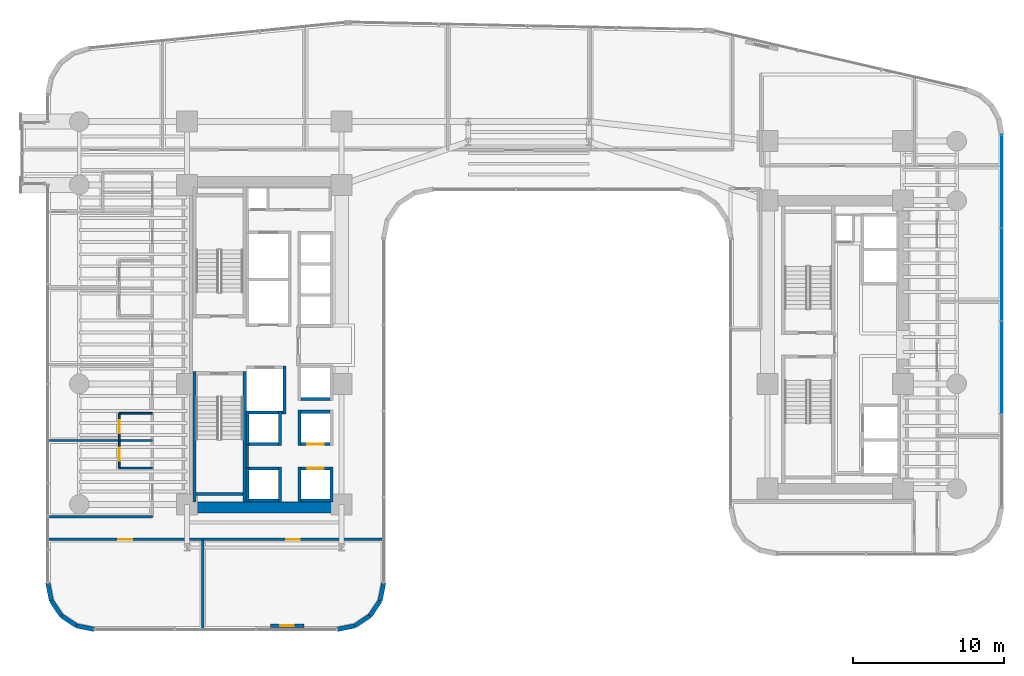
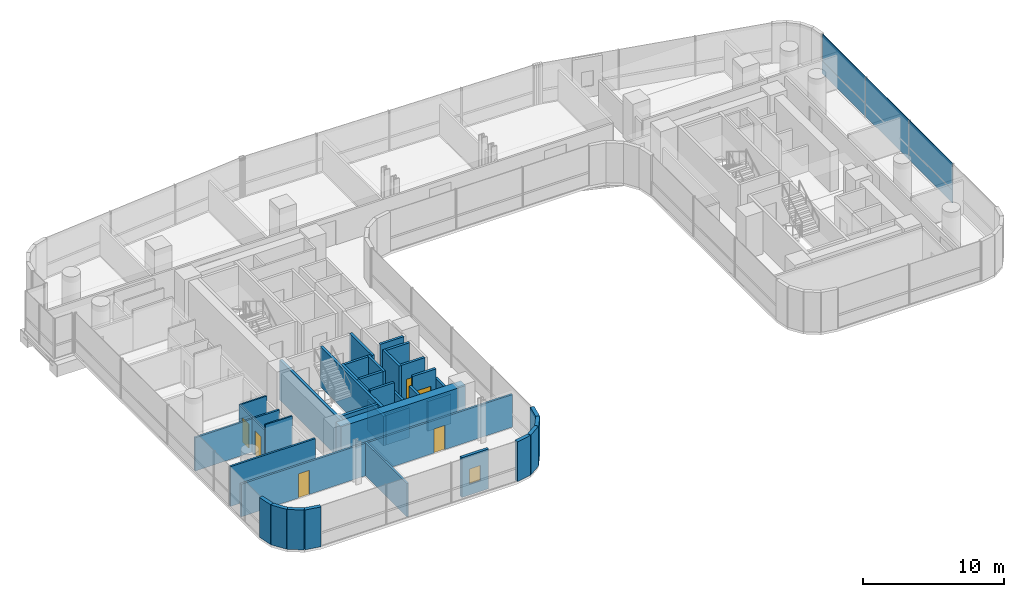
# One storey, part 31 of 40: 39 walls, 6 doors, 5 plates, 1 window, 7 openings, 1 element without a shape of its own.
"""IFC4 building model written with IfcOpenShell, lengths in metres."""

from ifc_helpers import new_model, si_unit, direction, frame, frame_2d, origin, origin_2d, place, context, subcontext, project, spatial, rectangle, extrude, source, transform, mapped, material, layer, layer_set, type_object, element, fill, aggregate, save


model = new_model("IFC4")

# Units and contexts
model_context = context("Model", 3, precision=1e-05, world=origin(), true_north=direction((0.0, 1.0)))
body_context = subcontext(model_context, "Body", "Model", "MODEL_VIEW")
ifc_project = project(units=[si_unit("LENGTHUNIT", "METRE"), si_unit("AREAUNIT", "SQUARE_METRE"), si_unit("VOLUMEUNIT", "CUBIC_METRE"), si_unit("PLANEANGLEUNIT", "RADIAN"), si_unit("MASSUNIT", "GRAM", prefix="KILO")], contexts=[model_context])

# Site, building, storey
site_placement = place(None, origin())
site = spatial("IfcSite", under=ifc_project, at=site_placement, CompositionType="ELEMENT")
building_placement = place(site_placement, origin())
building = spatial("IfcBuilding", under=site, at=building_placement, Name="Valdorenza Pilgrim Sanctuary Tower", CompositionType="ELEMENT")
storey_placement = place(building_placement, frame((0.0, 0.0, 81.5)))
storey = spatial("IfcBuildingStorey", under=building, at=storey_placement, Name="L20", CompositionType="ELEMENT", Elevation=81.5)

# Curtain wall, plates
ifc_material_1 = material(Name="Curtain-wall IGU glazing", Category="glass")
curtain_wall_type = type_object("IfcCurtainWallType", Name="CW-SYS-03", PredefinedType="NOTDEFINED", material=ifc_material_1)
curtain_wall_placement = place(storey_placement, origin())
curtain_wall = element("IfcCurtainWall", 1, at=curtain_wall_placement, inside=storey, type_object=curtain_wall_type, Name="L20 Curtain Wall CW-L20-1-21", PredefinedType="NOTDEFINED")
ifc_material_2 = material(Name="Honed travertine limestone", Category="masonry")
ifc_layer_1 = layer(ifc_material_2, 0.050048828125, Name="Honed travertine limestone")
ifc_layer_set_1 = layer_set([ifc_layer_1], Name="Honed travertine limestone")
plate_type_1 = type_object("IfcPlateType", Name="CW-SPN-TRV", PredefinedType="USERDEFINED", material=ifc_layer_set_1)
shared_shape_1 = source(origin(), body_context, "Body", "SweptSolid", [
    extrude(rectangle(XDim=6.16357421875, YDim=0.06005859375, at=origin_2d()), origin(), (0.0, 0.0, 1.0), 1.10009765625),
])
plate_1_placement = place(storey_placement, frame((31.389892578125, 10.853271484375, 0.010009765625), z_axis=(0.0, 0.0, 1.0), x_axis=(0.0, -1.0, 0.0)))
plate_1 = element("IfcPlate", 2, at=plate_1_placement, type_object=plate_type_1, Name="CW-L20-1-21 Travertine Spandrel 1", ObjectType="SPANDREL", PredefinedType="USERDEFINED", context=body_context, shape_type="MappedRepresentation", body=[
    mapped(shared_shape_1, transform((0.0, 0.0, 0.0), x_axis=(1.0, 0.0, 0.0), y_axis=(0.0, 1.0, 0.0), z_axis=(0.0, 0.0, 1.0), scale=1.0)),
])
plate_2_placement = place(storey_placement, frame((31.389892578125, -1.513916015625, 0.010009765625), z_axis=(0.0, 0.0, 1.0), x_axis=(0.0, -1.0, 0.0)))
plate_2 = element("IfcPlate", 3, at=plate_2_placement, type_object=plate_type_1, Name="CW-L20-1-21 Travertine Spandrel 3", ObjectType="SPANDREL", PredefinedType="USERDEFINED", context=body_context, shape_type="MappedRepresentation", body=[
    mapped(shared_shape_1, transform((0.0, 0.0, 0.0), x_axis=(1.0, 0.0, 0.0), y_axis=(0.0, 1.0, 0.0), z_axis=(0.0, 0.0, 1.0), scale=1.0)),
])
ifc_material_3 = material(Name="Ceramic-fritted low-E IGU glazing", Category="glass")
ifc_layer_2 = layer(ifc_material_3, 0.035888671875, Name="Ceramic-fritted low-E IGU glazing")
ifc_layer_set_2 = layer_set([ifc_layer_2], Name="Ceramic-fritted low-E IGU glazing")
plate_type_2 = type_object("IfcPlateType", Name="CW-GLZ-IGU", PredefinedType="USERDEFINED", material=ifc_layer_set_2)
shared_shape_2 = source(origin(), body_context, "Body", "SweptSolid", [
    extrude(rectangle(XDim=6.16357421875, YDim=0.050048828125, at=origin_2d()), origin(), (0.0, 0.0, 1.0), 2.320068359375),
])
plate_3_placement = place(storey_placement, frame((31.389892578125, 10.853271484375, 1.1298828125), z_axis=(0.0, 0.0, 1.0), x_axis=(0.0, -1.0, 0.0)))
plate_3 = element("IfcPlate", 4, at=plate_3_placement, type_object=plate_type_2, Name="CW-L20-1-21 Facade Panel 1", ObjectType="GLAZING", PredefinedType="USERDEFINED", context=body_context, shape_type="MappedRepresentation", body=[
    mapped(shared_shape_2, transform((0.0, 0.0, 0.0), x_axis=(1.0, 0.0, 0.0), y_axis=(0.0, 1.0, 0.0), z_axis=(0.0, 0.0, 1.0), scale=1.0)),
])
plate_4_placement = place(storey_placement, frame((31.389892578125, -1.513916015625, 1.1298828125), z_axis=(0.0, 0.0, 1.0), x_axis=(0.0, -1.0, 0.0)))
plate_4 = element("IfcPlate", 5, at=plate_4_placement, type_object=plate_type_2, Name="CW-L20-1-21 Facade Panel 3", ObjectType="GLAZING", PredefinedType="USERDEFINED", context=body_context, shape_type="MappedRepresentation", body=[
    mapped(shared_shape_2, transform((0.0, 0.0, 0.0), x_axis=(1.0, 0.0, 0.0), y_axis=(0.0, 1.0, 0.0), z_axis=(0.0, 0.0, 1.0), scale=1.0)),
])
shared_shape_3 = source(origin(), body_context, "Body", "SweptSolid", [
    extrude(rectangle(XDim=6.16357421875, YDim=0.050048828125, at=origin_2d()), origin(), (0.0, 0.0, 1.0), 3.43994140625),
])
plate_5_placement = place(storey_placement, frame((31.389892578125, 4.669677734375, 0.010009765625), z_axis=(0.0, 0.0, 1.0), x_axis=(0.0, -1.0, 0.0)))
plate_5 = element("IfcPlate", 6, at=plate_5_placement, type_object=plate_type_2, Name="CW-L20-1-21 Full-Height Facade Panel 2", ObjectType="GLAZING", PredefinedType="USERDEFINED", context=body_context, shape_type="MappedRepresentation", body=[
    mapped(shared_shape_3, transform((0.0, 0.0, 0.0), x_axis=(1.0, 0.0, 0.0), y_axis=(0.0, 1.0, 0.0), z_axis=(0.0, 0.0, 1.0), scale=1.0)),
])
aggregate(curtain_wall, [plate_1, plate_3, plate_5, plate_2, plate_4])

# Wall
ifc_material_4 = material(Name="Acoustic twin-stud gypsum partition", Category="gypsum")
ifc_layer_3 = layer(ifc_material_4, 0.159912109375, Name="Acoustic twin-stud gypsum partition")
ifc_layer_set_3 = layer_set([ifc_layer_3], Name="Acoustic twin-stud gypsum partition")
wall_type_1 = type_object("IfcWallType", Name="WAL-COR-160", PredefinedType="PARTITIONING", material=ifc_layer_set_3)
wall_1_placement = place(storey_placement, frame((-18.64990234375, -8.179931640625, 0.0), z_axis=(0.0, 0.0, 1.0), x_axis=(0.0, 1.0, 0.0)))
element("IfcWall", 7, at=wall_1_placement, inside=storey, type_object=wall_type_1, Name="L20 Core A South Lift Hall West Wall", PredefinedType="PARTITIONING", context=body_context, shape_type="SweptSolid", body=[
    extrude(rectangle(XDim=1.559814453125, YDim=0.159912109375, at=frame_2d((0.77978515625, 0.0))), origin(), (0.0, 0.0, 1.0), 3.4599609375),
])

# Wall, openings, doors
wall_2_placement = place(storey_placement, frame((-31.889892578125, -12.919921875, 0.0), z_axis=(0.0, 0.0, 1.0), x_axis=(1.0, 0.0, 0.0)))
wall_2 = element("IfcWall", 8, at=wall_2_placement, inside=storey, type_object=wall_type_1, Name="L20 South Wing Corridor Wall", PredefinedType="PARTITIONING", context=body_context, shape_type="SweptSolid", body=[
    extrude(rectangle(XDim=22.27978515625, YDim=0.159912109375, at=frame_2d((11.139892578125, 0.0))), origin(), (0.0, 0.0, 1.0), 2.833984375),
])
opening_1_placement = place(wall_2_placement, frame((4.68505859375, 0.0, 0.0)))
opening_1 = element("IfcOpeningElement", 9, at=opening_1_placement, cuts=wall_2, Name="Opening DR-RM1", PredefinedType="OPENING", context=body_context, shape_type="SweptSolid", body=[
    extrude(rectangle(XDim=0.89990234375, YDim=2.10009765625, at=frame_2d((0.449951171875, 1.050048828125))), frame((0.0, 0.0947265625, 0.0), z_axis=(0.0, -1.0, 0.0), x_axis=(1.0, 0.0, 0.0)), (0.0, 0.0, 1.0), 0.189697265625),
])
opening_2_placement = place(wall_2_placement, frame((15.824951171875, 0.0, 0.0)))
opening_2 = element("IfcOpeningElement", 10, at=opening_2_placement, cuts=wall_2, Name="Opening DR-RM1", PredefinedType="OPENING", context=body_context, shape_type="SweptSolid", body=[
    extrude(rectangle(XDim=0.89990234375, YDim=2.10009765625, at=frame_2d((0.449951171875, 1.050048828125))), frame((0.0, 0.0947265625, 0.0), z_axis=(0.0, -1.0, 0.0), x_axis=(1.0, 0.0, 0.0)), (0.0, 0.0, 1.0), 0.189697265625),
])
ifc_material_5 = material(Name="Solid-core European oak timber", Category="wood")
door_type_1 = type_object("IfcDoorType", Name="DR-ROOM-900", OperationType="NOTDEFINED", PredefinedType="DOOR", material=ifc_material_5)
door_1_placement = place(opening_1_placement, origin())
door_1 = element("IfcDoor", 11, at=door_1_placement, inside=storey, type_object=door_type_1, Name="L20 Retreat Discussion Room L20-S1 Door", OperationType="SINGLE_SWING_RIGHT", OverallHeight=2.10009765625, OverallWidth=0.89990234375, PredefinedType="DOOR", context=body_context, shape_type="SweptSolid", body=[
    extrude(rectangle(XDim=0.89990234375, YDim=2.10009765625, at=frame_2d((0.449951171875, 1.050048828125))), frame((0.0, 0.02490234375, 0.0), z_axis=(0.0, -1.0, 0.0), x_axis=(1.0, 0.0, 0.0)), (0.0, 0.0, 1.0), 0.050048828125),
])
fill(opening_1, door_1)
door_2_placement = place(opening_2_placement, frame((0.89990234375, 0.0, 0.0), z_axis=(0.0, 0.0, 1.0), x_axis=(-1.0, 0.0, 0.0)))
door_2 = element("IfcDoor", 12, at=door_2_placement, inside=storey, type_object=door_type_1, Name="L20 Retreat Discussion Room L20-S2 Door", OperationType="SINGLE_SWING_LEFT", OverallHeight=2.10009765625, OverallWidth=0.89990234375, PredefinedType="DOOR", context=body_context, shape_type="SweptSolid", body=[
    extrude(rectangle(XDim=0.89990234375, YDim=2.10009765625, at=frame_2d((0.449951171875, 1.050048828125))), frame((0.0, 0.02490234375, 0.0), z_axis=(0.0, -1.0, 0.0), x_axis=(1.0, 0.0, 0.0)), (0.0, 0.0, 1.0), 0.050048828125),
])
fill(opening_2, door_2)

# Walls
wall_3_placement = place(storey_placement, frame((-31.889892578125, -11.419921875, 0.0), z_axis=(0.0, 0.0, 1.0), x_axis=(1.0, 0.0, 0.0)))
element("IfcWall", 13, at=wall_3_placement, inside=storey, type_object=wall_type_1, Name="L20 South-West Corridor North Wall", PredefinedType="PARTITIONING", context=body_context, shape_type="SweptSolid", body=[
    extrude(rectangle(XDim=6.93994140625, YDim=0.159912109375, at=frame_2d((3.469970703125, 0.0))), origin(), (0.0, 0.0, 1.0), 3.4599609375),
])
ifc_material_6 = material(Name="Concrete C60/75", Category="concrete")
ifc_layer_4 = layer(ifc_material_6, 0.699951171875, Name="Concrete C60/75")
ifc_layer_set_4 = layer_set([ifc_layer_4], Name="Concrete C60/75")
wall_type_2 = type_object("IfcWallType", Name="WAL-COR-700", PredefinedType="SHEAR", material=ifc_layer_set_4)
wall_4_placement = place(storey_placement, frame((-22.64990234375, -10.800048828125, 0.0), z_axis=(0.0, 0.0, 1.0), x_axis=(1.0, 0.0, 0.0)))
element("IfcWall", 14, at=wall_4_placement, inside=storey, type_object=wall_type_2, Name="L20 Split Core A Shear Wall S", PredefinedType="SHEAR", context=body_context, shape_type="SweptSolid", body=[
    extrude(rectangle(XDim=10.25, YDim=0.699951171875, at=frame_2d((5.125, 0.0))), origin(), (0.0, 0.0, 1.0), 3.4599609375),
])
ifc_layer_5 = layer(ifc_material_2, 0.300048828125, Name="Honed travertine limestone")
ifc_layer_set_5 = layer_set([ifc_layer_5], Name="Honed travertine limestone")
wall_type_3 = type_object("IfcWallType", Name="WAL-EXT-300", PredefinedType="SOLIDWALL", material=ifc_layer_set_5)
wall_5_placement = place(storey_placement, frame((-9.610107421875, -15.789306640625, 0.0), z_axis=(0.0, 0.0, 1.0), x_axis=(-0.194996050505, -0.980804027463, 0.0)))
element("IfcWall", 15, at=wall_5_placement, inside=storey, type_object=wall_type_3, Name="L20 Rounded Wind-Corner Stone Pier 42", PredefinedType="SOLIDWALL", context=body_context, shape_type="SweptSolid", body=[
    extrude(rectangle(XDim=1.2158203125, YDim=0.300048828125, at=frame_2d((0.60791015625, 0.0))), origin(), (0.0, 0.0, 1.0), 3.4599609375),
])
for number, where, z_axis, x_axis, name in (
    (16, (-9.84716796875, -16.981689453125, 0.0), (0.0, 0.0, 1.0), (-0.555635100982, -0.831426265255, 0.0), "L20 Rounded Wind-Corner Stone Pier 43"),
    (17, (-10.5166015625, -17.9833984375, 0.0), (0.0, 0.0, 1.0), (-0.831426265255, -0.555635100982, 0.0), "L20 Rounded Wind-Corner Stone Pier 44"),
):
    element("IfcWall", number, at=place(storey_placement, frame(where, z_axis=z_axis, x_axis=x_axis)), inside=storey, type_object=wall_type_3, Name=name, PredefinedType="SOLIDWALL", context=body_context, shape_type="SweptSolid", body=[
        extrude(rectangle(XDim=1.204833984375, YDim=0.300048828125, at=frame_2d((0.6025390625, 0.0))), origin(), (0.0, 0.0, 1.0), 3.4599609375),
    ])
wall_6_placement = place(storey_placement, frame((-11.518310546875, -18.65283203125, 0.0), z_axis=(0.0, 0.0, 1.0), x_axis=(-0.980804027463, -0.194996050505, 0.0)))
element("IfcWall", 18, at=wall_6_placement, inside=storey, type_object=wall_type_3, Name="L20 Rounded Wind-Corner Stone Pier 45", PredefinedType="SOLIDWALL", context=body_context, shape_type="SweptSolid", body=[
    extrude(rectangle(XDim=1.2158203125, YDim=0.300048828125, at=frame_2d((0.60791015625, 0.0))), origin(), (0.0, 0.0, 1.0), 3.4599609375),
])

# Wall, opening, window
wall_7_placement = place(storey_placement, frame((-14.910888671875, -18.64990234375, 0.0), z_axis=(0.0, 0.0, 1.0), x_axis=(-1.0, 0.0, 0.0)))
wall_7 = element("IfcWall", 19, at=wall_7_placement, inside=storey, type_object=wall_type_3, Name="L20 Operable Ventilation Sash Jamb Pier", PredefinedType="SOLIDWALL", context=body_context, shape_type="SweptSolid", body=[
    extrude(rectangle(XDim=2.199951171875, YDim=0.219970703125, at=frame_2d((1.10009765625, 0.0))), origin(), (0.0, 0.0, 1.0), 3.4599609375),
])
opening_3_placement = place(wall_7_placement, frame((0.64990234375, 0.0, 0.949951171875)))
opening_3 = element("IfcOpeningElement", 20, at=opening_3_placement, cuts=wall_7, Name="Opening WN-OP1", PredefinedType="OPENING", context=body_context, shape_type="SweptSolid", body=[
    extrude(rectangle(XDim=0.89990234375, YDim=1.300048828125, at=frame_2d((0.449951171875, 0.64990234375))), frame((0.0, 0.125, 0.0), z_axis=(0.0, -1.0, 0.0), x_axis=(1.0, 0.0, 0.0)), (0.0, 0.0, 1.0), 0.249755859375),
])
window_type = type_object("IfcWindowType", Name="WIN-OPN-900", PartitioningType="SINGLE_PANEL", PredefinedType="WINDOW", material=ifc_material_3)
window_placement = place(opening_3_placement, origin())
window = element("IfcWindow", 21, at=window_placement, inside=storey, type_object=window_type, Name="L20 Parallel-Pop-Out Operable Facade Panel", OverallHeight=1.300048828125, OverallWidth=0.89990234375, PartitioningType="SINGLE_PANEL", PredefinedType="WINDOW", context=body_context, shape_type="SweptSolid", body=[
    extrude(rectangle(XDim=0.89990234375, YDim=1.300048828125, at=frame_2d((0.449951171875, 0.64990234375))), frame((0.0, 0.030029296875, 0.0), z_axis=(0.0, -1.0, 0.0), x_axis=(1.0, 0.0, 0.0)), (0.0, 0.0, 1.0), 0.06005859375),
])
fill(opening_3, window)

# Walls
wall_8_placement = place(storey_placement, frame((-28.789306640625, -18.889892578125, 0.0), z_axis=(0.0, 0.0, 1.0), x_axis=(-0.980804027463, 0.194996050505, 0.0)))
element("IfcWall", 22, at=wall_8_placement, inside=storey, type_object=wall_type_3, Name="L20 Rounded Wind-Corner Stone Pier 47", PredefinedType="SOLIDWALL", context=body_context, shape_type="SweptSolid", body=[
    extrude(rectangle(XDim=1.2158203125, YDim=0.300048828125, at=frame_2d((0.60791015625, 0.0))), origin(), (0.0, 0.0, 1.0), 3.4599609375),
])
for number, where, z_axis, x_axis, name in (
    (23, (-29.981689453125, -18.65283203125, 0.0), (0.0, 0.0, 1.0), (-0.831426265255, 0.555635100982, 0.0), "L20 Rounded Wind-Corner Stone Pier 48"),
    (24, (-30.9833984375, -17.9833984375, 0.0), (0.0, 0.0, 1.0), (-0.555635100982, 0.831426265255, 0.0), "L20 Rounded Wind-Corner Stone Pier 49"),
):
    element("IfcWall", number, at=place(storey_placement, frame(where, z_axis=z_axis, x_axis=x_axis)), inside=storey, type_object=wall_type_3, Name=name, PredefinedType="SOLIDWALL", context=body_context, shape_type="SweptSolid", body=[
        extrude(rectangle(XDim=1.204833984375, YDim=0.300048828125, at=frame_2d((0.6025390625, 0.0))), origin(), (0.0, 0.0, 1.0), 3.4599609375),
    ])
wall_9_placement = place(storey_placement, frame((-31.65283203125, -16.981689453125, 0.0), z_axis=(0.0, 0.0, 1.0), x_axis=(-0.194996050505, 0.980804027463, 0.0)))
element("IfcWall", 25, at=wall_9_placement, inside=storey, type_object=wall_type_3, Name="L20 Rounded Wind-Corner Stone Pier 50", PredefinedType="SOLIDWALL", context=body_context, shape_type="SweptSolid", body=[
    extrude(rectangle(XDim=1.2158203125, YDim=0.300048828125, at=frame_2d((0.60791015625, 0.0))), origin(), (0.0, 0.0, 1.0), 3.4599609375),
])
ifc_material_7 = material(Name="Moisture-resistant gypsum partition", Category="gypsum")
ifc_layer_6 = layer(ifc_material_7, 0.1201171875, Name="Moisture-resistant gypsum partition")
ifc_layer_set_6 = layer_set([ifc_layer_6], Name="Moisture-resistant gypsum partition")
wall_type_4 = type_object("IfcWallType", Name="WAL-INT-120", PredefinedType="PARTITIONING", material=ifc_layer_set_6)
wall_10_placement = place(storey_placement, frame((-27.14990234375, -8.18505859375, 0.0), z_axis=(0.0, 0.0, 1.0), x_axis=(1.0, 0.0, 0.0)))
element("IfcWall", 26, at=wall_10_placement, inside=storey, type_object=wall_type_4, Name="L20 Pilgrim Guest Room L20-W1 En-suite South Wall", PredefinedType="PARTITIONING", context=body_context, shape_type="SweptSolid", body=[
    extrude(rectangle(XDim=2.199951171875, YDim=0.1201171875, at=frame_2d((1.10009765625, 0.0))), origin(), (0.0, 0.0, 1.0), 3.4599609375),
])

# Wall, opening, door
wall_11_placement = place(storey_placement, frame((-27.14990234375, -8.18505859375, 0.0), z_axis=(0.0, 0.0, 1.0), x_axis=(0.0, 1.0, 0.0)))
wall_11 = element("IfcWall", 27, at=wall_11_placement, inside=storey, type_object=wall_type_4, Name="L20 Pilgrim Guest Room L20-W1 En-suite Door Wall", PredefinedType="PARTITIONING", context=body_context, shape_type="SweptSolid", body=[
    extrude(rectangle(XDim=1.820068359375, YDim=0.1201171875, at=frame_2d((0.91015625, 0.0))), origin(), (0.0, 0.0, 1.0), 2.97900390625),
])
opening_4_placement = place(wall_11_placement, frame((0.485107421875, 0.0, 0.0)))
opening_4 = element("IfcOpeningElement", 28, at=opening_4_placement, cuts=wall_11, Name="Opening DR-WC1", PredefinedType="OPENING", context=body_context, shape_type="SweptSolid", body=[
    extrude(rectangle(XDim=0.85009765625, YDim=2.10009765625, at=frame_2d((0.425048828125, 1.050048828125))), frame((0.0, 0.074951171875, 0.0), z_axis=(0.0, -1.0, 0.0), x_axis=(1.0, 0.0, 0.0)), (0.0, 0.0, 1.0), 0.14990234375),
])
ifc_material_8 = material(Name="Moisture-resistant lacquered timber", Category="wood")
door_type_2 = type_object("IfcDoorType", Name="DR-BATH-850", OperationType="NOTDEFINED", PredefinedType="DOOR", material=ifc_material_8)
door_3_placement = place(opening_4_placement, origin())
door_3 = element("IfcDoor", 29, at=door_3_placement, inside=storey, type_object=door_type_2, Name="L20 Pilgrim Guest Room L20-W1 En-suite Bathroom Door", OperationType="SINGLE_SWING_LEFT", OverallHeight=2.10009765625, OverallWidth=0.85009765625, PredefinedType="DOOR", context=body_context, shape_type="SweptSolid", body=[
    extrude(rectangle(XDim=0.85009765625, YDim=2.10009765625, at=frame_2d((0.425048828125, 1.050048828125))), frame((0.0, 0.02490234375, 0.0), z_axis=(0.0, -1.0, 0.0), x_axis=(1.0, 0.0, 0.0)), (0.0, 0.0, 1.0), 0.050048828125),
])
fill(opening_4, door_3)

# Wall
wall_12_placement = place(storey_placement, frame((-27.14990234375, -4.544921875, 0.0), z_axis=(0.0, 0.0, 1.0), x_axis=(1.0, 0.0, 0.0)))
element("IfcWall", 30, at=wall_12_placement, inside=storey, type_object=wall_type_4, Name="L20 Pilgrim Guest Room L20-W2 En-suite North Wall", PredefinedType="PARTITIONING", context=body_context, shape_type="SweptSolid", body=[
    extrude(rectangle(XDim=2.199951171875, YDim=0.1201171875, at=frame_2d((1.10009765625, 0.0))), origin(), (0.0, 0.0, 1.0), 2.97900390625),
])

# Wall, opening, door
wall_13_placement = place(storey_placement, frame((-27.14990234375, -6.364990234375, 0.0), z_axis=(0.0, 0.0, 1.0), x_axis=(0.0, 1.0, 0.0)))
wall_13 = element("IfcWall", 31, at=wall_13_placement, inside=storey, type_object=wall_type_4, Name="L20 Pilgrim Guest Room L20-W2 En-suite Door Wall", PredefinedType="PARTITIONING", context=body_context, shape_type="SweptSolid", body=[
    extrude(rectangle(XDim=1.820068359375, YDim=0.1201171875, at=frame_2d((0.91015625, 0.0))), origin(), (0.0, 0.0, 1.0), 2.97900390625),
])
opening_5_placement = place(wall_13_placement, frame((0.485107421875, 0.0, 0.0)))
opening_5 = element("IfcOpeningElement", 32, at=opening_5_placement, cuts=wall_13, Name="Opening DR-WC1", PredefinedType="OPENING", context=body_context, shape_type="SweptSolid", body=[
    extrude(rectangle(XDim=0.85009765625, YDim=2.10009765625, at=frame_2d((0.425048828125, 1.050048828125))), frame((0.0, 0.074951171875, 0.0), z_axis=(0.0, -1.0, 0.0), x_axis=(1.0, 0.0, 0.0)), (0.0, 0.0, 1.0), 0.14990234375),
])
door_4_placement = place(opening_5_placement, origin())
door_4 = element("IfcDoor", 33, at=door_4_placement, inside=storey, type_object=door_type_2, Name="L20 Pilgrim Guest Room L20-W2 En-suite Bathroom Door", OperationType="SINGLE_SWING_LEFT", OverallHeight=2.10009765625, OverallWidth=0.85009765625, PredefinedType="DOOR", context=body_context, shape_type="SweptSolid", body=[
    extrude(rectangle(XDim=0.85009765625, YDim=2.10009765625, at=frame_2d((0.425048828125, 1.050048828125))), frame((0.0, 0.02490234375, 0.0), z_axis=(0.0, -1.0, 0.0), x_axis=(1.0, 0.0, 0.0)), (0.0, 0.0, 1.0), 0.050048828125),
])
fill(opening_5, door_4)

# Walls
ifc_material_9 = material(Name="Autoclaved aerated concrete blockwork", Category="masonry")
ifc_layer_7 = layer(ifc_material_9, 0.199951171875, Name="Autoclaved aerated concrete blockwork")
ifc_layer_set_7 = layer_set([ifc_layer_7], Name="Autoclaved aerated concrete blockwork")
wall_type_5 = type_object("IfcWallType", Name="WAL-SHF-200", PredefinedType="MOVABLE", material=ifc_layer_set_7)
wall_14_placement = place(storey_placement, frame((-16.199951171875, -4.60009765625, 0.0), z_axis=(0.0, 0.0, 1.0), x_axis=(0.0, 1.0, 0.0)))
element("IfcWall", 34, at=wall_14_placement, inside=storey, type_object=wall_type_5, Name="L20 Lift FFL-02 Hoistway Wall East", PredefinedType="MOVABLE", context=body_context, shape_type="SweptSolid", body=[
    extrude(rectangle(XDim=3.2001953125, YDim=0.199951171875, at=frame_2d((1.60009765625, 0.0))), origin(), (0.0, 0.0, 1.0), 3.4599609375),
])
wall_15_placement = place(storey_placement, frame((-18.719970703125, -4.5, 0.0), z_axis=(0.0, 0.0, 1.0), x_axis=(1.0, 0.0, 0.0)))
element("IfcWall", 35, at=wall_15_placement, inside=storey, type_object=wall_type_5, Name="L20 Lift FFL-02 Hoistway Wall South", PredefinedType="MOVABLE", context=body_context, shape_type="SweptSolid", body=[
    extrude(rectangle(XDim=2.419921875, YDim=0.199951171875, at=frame_2d((1.2099609375, 0.0))), origin(), (0.0, 0.0, 1.0), 3.4599609375),
])
for number, where, z_axis, x_axis, name in (
    (36, (-15.199951171875, -10.449951171875, 0.0), (0.0, 0.0, 1.0), (0.0, 1.0, 0.0), "L20 Lift PL-01 Hoistway Wall West"),
    (37, (-13.080078125, -10.449951171875, 0.0), (0.0, 0.0, 1.0), (0.0, 1.0, 0.0), "L20 Lift PL-01 Hoistway Wall East"),
):
    element("IfcWall", number, at=place(storey_placement, frame(where, z_axis=z_axis, x_axis=x_axis)), inside=storey, type_object=wall_type_5, Name=name, PredefinedType="MOVABLE", context=body_context, shape_type="SweptSolid", body=[
        extrude(rectangle(XDim=2.349853515625, YDim=0.199951171875, at=frame_2d((1.1748046875, 0.0))), origin(), (0.0, 0.0, 1.0), 2.5830078125),
    ])
wall_16_placement = place(storey_placement, frame((-15.10009765625, -10.35009765625, 0.0), z_axis=(0.0, 0.0, 1.0), x_axis=(1.0, 0.0, 0.0)))
element("IfcWall", 38, at=wall_16_placement, inside=storey, type_object=wall_type_5, Name="L20 Lift PL-01 Hoistway Wall South", PredefinedType="MOVABLE", context=body_context, shape_type="SweptSolid", body=[
    extrude(rectangle(XDim=1.920166015625, YDim=0.199951171875, at=frame_2d((0.9599609375, 0.0))), origin(), (0.0, 0.0, 1.0), 2.5830078125),
])

# Wall, opening, door
wall_17_placement = place(storey_placement, frame((-15.10009765625, -8.199951171875, 0.0), z_axis=(0.0, 0.0, 1.0), x_axis=(1.0, 0.0, 0.0)))
wall_17 = element("IfcWall", 39, at=wall_17_placement, inside=storey, type_object=wall_type_5, Name="L20 Lift PL-01 Hoistway Wall North", PredefinedType="MOVABLE", context=body_context, shape_type="SweptSolid", body=[
    extrude(rectangle(XDim=1.920166015625, YDim=0.199951171875, at=frame_2d((0.9599609375, 0.0))), origin(), (0.0, 0.0, 1.0), 3.4599609375),
])
opening_6_placement = place(wall_17_placement, frame((0.409912109375, 0.0, 0.0)))
opening_6 = element("IfcOpeningElement", 40, at=opening_6_placement, cuts=wall_17, Name="Opening LD-01", PredefinedType="OPENING", context=body_context, shape_type="SweptSolid", body=[
    extrude(rectangle(XDim=1.10009765625, YDim=2.10009765625, at=frame_2d((0.550048828125, 1.050048828125))), frame((0.0, 0.11474609375, 0.0), z_axis=(0.0, -1.0, 0.0), x_axis=(1.0, 0.0, 0.0)), (0.0, 0.0, 1.0), 0.229736328125),
])
ifc_material_10 = material(Name="Brushed stainless steel Grade 316", Category="steel")
door_type_3 = type_object("IfcDoorType", Name="DR-LFT-1100", OperationType="DOUBLE_DOOR_SLIDING", PredefinedType="DOOR", material=ifc_material_10)
door_5_placement = place(opening_6_placement, origin())
door_5 = element("IfcDoor", 41, at=door_5_placement, inside=storey, type_object=door_type_3, Name="L20 Lift PL-01 Sliding Landing Door", OperationType="DOUBLE_DOOR_SLIDING", OverallHeight=2.10009765625, OverallWidth=1.10009765625, PredefinedType="DOOR", context=body_context, shape_type="SweptSolid", body=[
    extrude(rectangle(XDim=1.10009765625, YDim=2.10009765625, at=frame_2d((0.550048828125, 1.050048828125))), frame((0.0, 0.02490234375, 0.0), z_axis=(0.0, -1.0, 0.0), x_axis=(1.0, 0.0, 0.0)), (0.0, 0.0, 1.0), 0.050048828125),
])
fill(opening_6, door_5)

# Wall
wall_18_placement = place(storey_placement, frame((-15.199951171875, -6.699951171875, 0.0), z_axis=(0.0, 0.0, 1.0), x_axis=(0.0, 1.0, 0.0)))
element("IfcWall", 42, at=wall_18_placement, inside=storey, type_object=wall_type_5, Name="L20 Lift PL-02 Hoistway Wall West", PredefinedType="MOVABLE", context=body_context, shape_type="SweptSolid", body=[
    extrude(rectangle(XDim=2.349853515625, YDim=0.199951171875, at=frame_2d((1.1748046875, 0.0))), origin(), (0.0, 0.0, 1.0), 3.4599609375),
])

# Wall, opening, door
wall_19_placement = place(storey_placement, frame((-15.10009765625, -6.60009765625, 0.0), z_axis=(0.0, 0.0, 1.0), x_axis=(1.0, 0.0, 0.0)))
wall_19 = element("IfcWall", 43, at=wall_19_placement, inside=storey, type_object=wall_type_5, Name="L20 Lift PL-02 Hoistway Wall South", PredefinedType="MOVABLE", context=body_context, shape_type="SweptSolid", body=[
    extrude(rectangle(XDim=1.920166015625, YDim=0.199951171875, at=frame_2d((0.9599609375, 0.0))), origin(), (0.0, 0.0, 1.0), 3.4599609375),
])
opening_7_placement = place(wall_19_placement, frame((0.409912109375, 0.0, 0.0)))
opening_7 = element("IfcOpeningElement", 44, at=opening_7_placement, cuts=wall_19, Name="Opening LD-01", PredefinedType="OPENING", context=body_context, shape_type="SweptSolid", body=[
    extrude(rectangle(XDim=1.10009765625, YDim=2.10009765625, at=frame_2d((0.550048828125, 1.050048828125))), frame((0.0, 0.11474609375, 0.0), z_axis=(0.0, -1.0, 0.0), x_axis=(1.0, 0.0, 0.0)), (0.0, 0.0, 1.0), 0.229736328125),
])
door_6_placement = place(opening_7_placement, origin())
door_6 = element("IfcDoor", 45, at=door_6_placement, inside=storey, type_object=door_type_3, Name="L20 Lift PL-02 Sliding Landing Door", OperationType="DOUBLE_DOOR_SLIDING", OverallHeight=2.10009765625, OverallWidth=1.10009765625, PredefinedType="DOOR", context=body_context, shape_type="SweptSolid", body=[
    extrude(rectangle(XDim=1.10009765625, YDim=2.10009765625, at=frame_2d((0.550048828125, 1.050048828125))), frame((0.0, 0.02490234375, 0.0), z_axis=(0.0, -1.0, 0.0), x_axis=(1.0, 0.0, 0.0)), (0.0, 0.0, 1.0), 0.050048828125),
])
fill(opening_7, door_6)

# Walls
wall_20_placement = place(storey_placement, frame((-15.10009765625, -4.449951171875, 0.0), z_axis=(0.0, 0.0, 1.0), x_axis=(1.0, 0.0, 0.0)))
element("IfcWall", 46, at=wall_20_placement, inside=storey, type_object=wall_type_5, Name="L20 Lift PL-02 Hoistway Wall North", PredefinedType="MOVABLE", context=body_context, shape_type="SweptSolid", body=[
    extrude(rectangle(XDim=1.920166015625, YDim=0.199951171875, at=frame_2d((0.9599609375, 0.0))), origin(), (0.0, 0.0, 1.0), 3.4599609375),
])
for number, where, z_axis, x_axis, name in (
    (47, (-18.64990234375, -10.449951171875, 0.0), (0.0, 0.0, 1.0), (0.0, 1.0, 0.0), "L20 Lift PL-05 Hoistway Wall West"),
    (48, (-16.5, -10.449951171875, 0.0), (0.0, 0.0, 1.0), (0.0, 1.0, 0.0), "L20 Lift PL-05 Hoistway Wall East"),
):
    element("IfcWall", number, at=place(storey_placement, frame(where, z_axis=z_axis, x_axis=x_axis)), inside=storey, type_object=wall_type_5, Name=name, PredefinedType="MOVABLE", context=body_context, shape_type="SweptSolid", body=[
        extrude(rectangle(XDim=2.349853515625, YDim=0.199951171875, at=frame_2d((1.1748046875, 0.0))), origin(), (0.0, 0.0, 1.0), 2.5830078125),
    ])
wall_21_placement = place(storey_placement, frame((-18.550048828125, -10.35009765625, 0.0), z_axis=(0.0, 0.0, 1.0), x_axis=(1.0, 0.0, 0.0)))
element("IfcWall", 49, at=wall_21_placement, inside=storey, type_object=wall_type_5, Name="L20 Lift PL-05 Hoistway Wall South", PredefinedType="MOVABLE", context=body_context, shape_type="SweptSolid", body=[
    extrude(rectangle(XDim=1.949951171875, YDim=0.199951171875, at=frame_2d((0.97509765625, 0.0))), origin(), (0.0, 0.0, 1.0), 2.5830078125),
])
wall_22_placement = place(storey_placement, frame((-18.550048828125, -8.199951171875, 0.0), z_axis=(0.0, 0.0, 1.0), x_axis=(1.0, 0.0, 0.0)))
element("IfcWall", 50, at=wall_22_placement, inside=storey, type_object=wall_type_5, Name="L20 Lift PL-05 Hoistway Wall North", PredefinedType="MOVABLE", context=body_context, shape_type="SweptSolid", body=[
    extrude(rectangle(XDim=1.949951171875, YDim=0.199951171875, at=frame_2d((0.97509765625, 0.0))), origin(), (0.0, 0.0, 1.0), 3.4599609375),
])
for number, where, z_axis, x_axis, name in (
    (51, (-18.64990234375, -6.699951171875, 0.0), (0.0, 0.0, 1.0), (0.0, 1.0, 0.0), "L20 Lift PL-11 Hoistway Wall West"),
    (52, (-16.5, -6.699951171875, 0.0), (0.0, 0.0, 1.0), (0.0, 1.0, 0.0), "L20 Lift PL-11 Hoistway Wall East"),
):
    element("IfcWall", number, at=place(storey_placement, frame(where, z_axis=z_axis, x_axis=x_axis)), inside=storey, type_object=wall_type_5, Name=name, PredefinedType="MOVABLE", context=body_context, shape_type="SweptSolid", body=[
        extrude(rectangle(XDim=2.300048828125, YDim=0.199951171875, at=frame_2d((1.14990234375, 0.0))), origin(), (0.0, 0.0, 1.0), 3.4599609375),
    ])
wall_23_placement = place(storey_placement, frame((-18.550048828125, -6.60009765625, 0.0), z_axis=(0.0, 0.0, 1.0), x_axis=(1.0, 0.0, 0.0)))
element("IfcWall", 53, at=wall_23_placement, inside=storey, type_object=wall_type_5, Name="L20 Lift PL-11 Hoistway Wall South", PredefinedType="MOVABLE", context=body_context, shape_type="SweptSolid", body=[
    extrude(rectangle(XDim=1.949951171875, YDim=0.199951171875, at=frame_2d((0.97509765625, 0.0))), origin(), (0.0, 0.0, 1.0), 3.4599609375),
])
wall_24_placement = place(storey_placement, frame((-15.10009765625, -3.60009765625, 0.0), z_axis=(0.0, 0.0, 1.0), x_axis=(1.0, 0.0, 0.0)))
element("IfcWall", 54, at=wall_24_placement, inside=storey, type_object=wall_type_5, Name="L20 Lift PL-12 Hoistway Wall South", PredefinedType="MOVABLE", context=body_context, shape_type="SweptSolid", body=[
    extrude(rectangle(XDim=1.920166015625, YDim=0.199951171875, at=frame_2d((0.9599609375, 0.0))), origin(), (0.0, 0.0, 1.0), 3.4599609375),
])
ifc_material_11 = material(Name="Concrete C40/50", Category="concrete")
ifc_layer_8 = layer(ifc_material_11, 0.219970703125, Name="Concrete C40/50")
ifc_layer_set_8 = layer_set([ifc_layer_8], Name="Concrete C40/50")
wall_type_6 = type_object("IfcWallType", Name="WAL-STR-SHF-220", PredefinedType="SHEAR", material=ifc_layer_set_8)
for number, where, z_axis, x_axis, name in (
    (55, (-22.159912109375, -10.449951171875, 0.0), (0.0, 0.0, 1.0), (0.0, 1.0, 0.0), "L20 ST-A2 Structural Stairwell Wall W"),
    (56, (-18.830078125, -10.449951171875, 0.0), (0.0, 0.0, 1.0), (0.0, 1.0, 0.0), "L20 ST-A2 Structural Stairwell Wall E"),
):
    element("IfcWall", number, at=place(storey_placement, frame(where, z_axis=z_axis, x_axis=x_axis)), inside=storey, type_object=wall_type_6, Name=name, PredefinedType="SHEAR", context=body_context, shape_type="SweptSolid", body=[
        extrude(rectangle(XDim=8.669921875, YDim=0.219970703125, at=frame_2d((4.3349609375, 0.0))), origin(), (0.0, 0.0, 1.0), 3.4599609375),
    ])
wall_25_placement = place(storey_placement, frame((-22.050048828125, -9.909912109375, 0.0), z_axis=(0.0, 0.0, 1.0), x_axis=(1.0, 0.0, 0.0)))
element("IfcWall", 57, at=wall_25_placement, inside=storey, type_object=wall_type_6, Name="L20 ST-A2 Structural Stairwell Wall S", PredefinedType="SHEAR", context=body_context, shape_type="SweptSolid", body=[
    extrude(rectangle(XDim=3.110107421875, YDim=0.219970703125, at=frame_2d((1.55517578125, 0.0))), origin(), (0.0, 0.0, 1.0), 3.4599609375),
])
ifc_layer_9 = layer(ifc_material_4, 0.14990234375, Name="Acoustic twin-stud gypsum partition")
ifc_layer_set_9 = layer_set([ifc_layer_9], Name="Acoustic twin-stud gypsum partition")
wall_type_7 = type_object("IfcWallType", Name="WAL-UNT-150", PredefinedType="PARTITIONING", material=ifc_layer_set_9)
wall_26_placement = place(storey_placement, frame((-31.889892578125, -6.364990234375, 0.0), z_axis=(0.0, 0.0, 1.0), x_axis=(1.0, 0.0, 0.0)))
element("IfcWall", 58, at=wall_26_placement, inside=storey, type_object=wall_type_7, Name="L20 West Demising 1", PredefinedType="PARTITIONING", context=body_context, shape_type="SweptSolid", body=[
    extrude(rectangle(XDim=6.93994140625, YDim=0.14990234375, at=frame_2d((3.469970703125, 0.0))), origin(), (0.0, 0.0, 1.0), 2.89599609375),
])
wall_27_placement = place(storey_placement, frame((-21.6201171875, -18.889892578125, 0.0), z_axis=(0.0, 0.0, 1.0), x_axis=(0.0, 1.0, 0.0)))
element("IfcWall", 59, at=wall_27_placement, inside=storey, type_object=wall_type_7, Name="L20 Retreat Discussion Room L20-S2 Demising Wall", PredefinedType="PARTITIONING", context=body_context, shape_type="SweptSolid", body=[
    extrude(rectangle(XDim=5.969970703125, YDim=0.14990234375, at=frame_2d((2.98486328125, 0.0))), origin(), (0.0, 0.0, 1.0), 2.89599609375),
])

save(model, "model.ifc")
